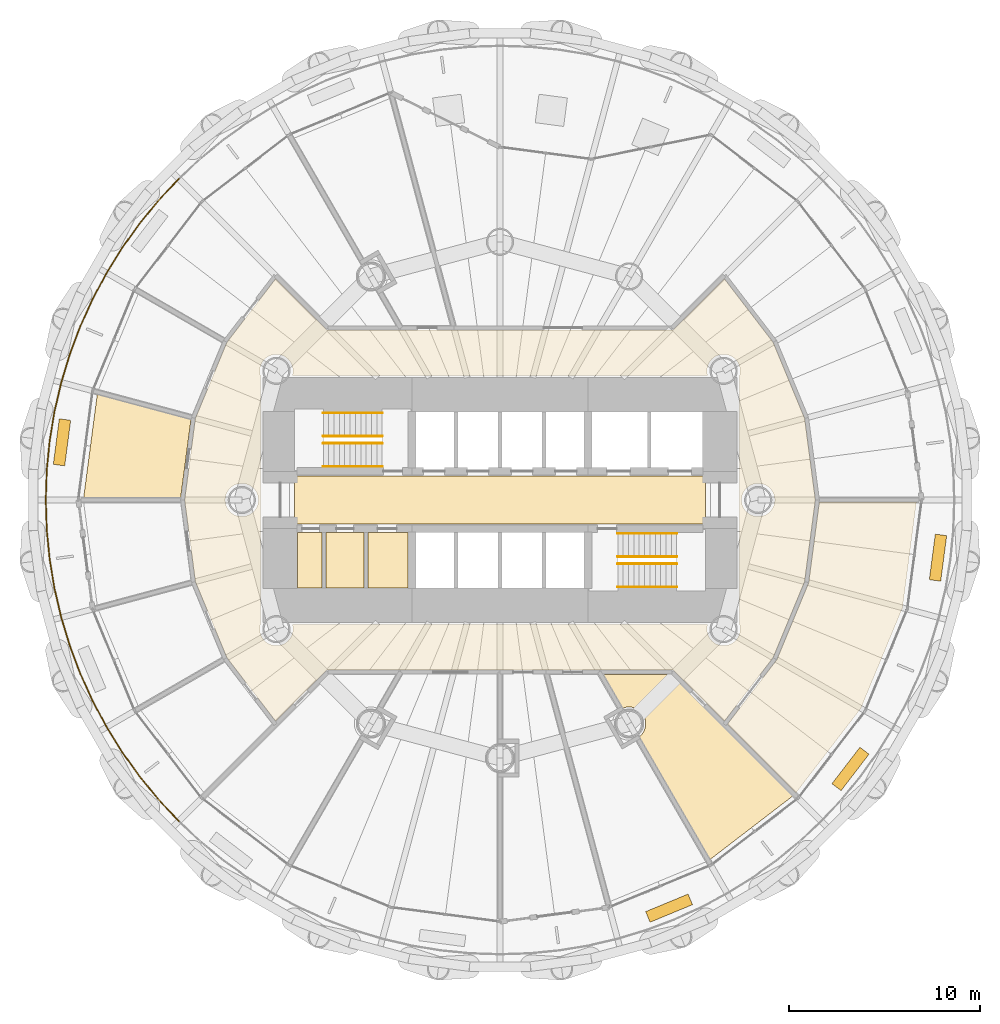
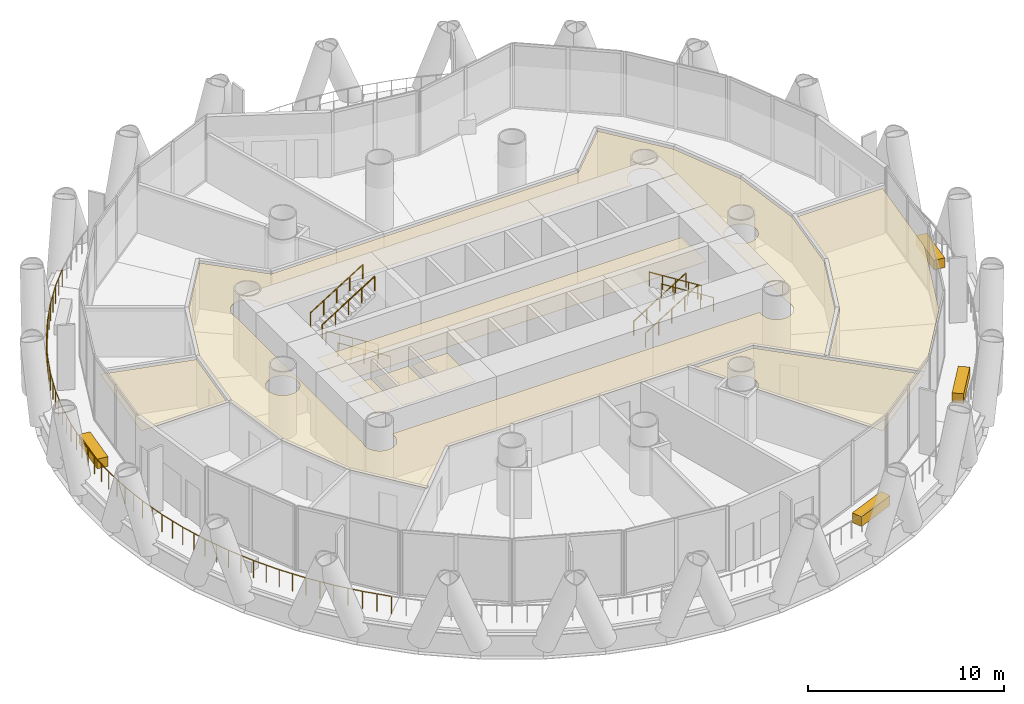
# One storey, part 14 of 16: 12 coverings, 9 railings.
"""IFC4 building model written with IfcOpenShell, lengths in metres."""

from ifc_helpers import new_model, si_unit, direction, frame, origin, origin_2d, place, context, subcontext, project, spatial, polyline, rectangle, circle, outline, extrude, material, layer, layer_set, type_object, element, save


model = new_model("IFC4")

# Units and contexts
model_context = context("Model", 3, precision=1e-05, world=origin(), true_north=direction((0.0, 1.0)))
body_context = subcontext(model_context, "Body", "Model", "MODEL_VIEW")
ifc_project = project(units=[si_unit("LENGTHUNIT", "METRE"), si_unit("AREAUNIT", "SQUARE_METRE"), si_unit("VOLUMEUNIT", "CUBIC_METRE"), si_unit("PLANEANGLEUNIT", "RADIAN"), si_unit("MASSUNIT", "GRAM", prefix="KILO")], contexts=[model_context])

# Site, building, storey
site_placement = place(None, origin())
site = spatial("IfcSite", under=ifc_project, at=site_placement, CompositionType="ELEMENT")
building_placement = place(site_placement, origin())
building = spatial("IfcBuilding", under=site, at=building_placement, Name="Qaws Media Tower", CompositionType="ELEMENT")
storey_placement = place(building_placement, frame((0.0, 0.0, 47.0)))
storey = spatial("IfcBuildingStorey", under=building, at=storey_placement, Name="L09", CompositionType="ELEMENT", Elevation=47.0)

# Railing
ifc_material_1 = material(Name="Stainless steel and glass guard", Category="steel")
railing_type_1 = type_object("IfcRailingType", Name="Balcony guard 1100", PredefinedType="GUARDRAIL", material=ifc_material_1)
railing_placement = place(storey_placement, frame((43.206298828125, 66.793701171875, 0.0)))
element("IfcRailing", 1, at=railing_placement, inside=storey, type_object=railing_type_1, Name="GR1 balcony guard L09-2", PredefinedType="GUARDRAIL", context=body_context, shape_type="SweptSolid", body=[
    extrude(circle(Radius=0.02392578125, at=origin_2d()), frame((0.0, 0.0, 1.076171875), z_axis=(-0.683638001777, -0.729821267522, 0.0), x_axis=(0.729821267522, -0.683638001777, 0.0)), (0.0, 0.0, 1.0), 1.55419921875),
    extrude(circle(Radius=0.02392578125, at=origin_2d()), frame((-1.0625, -1.13427734375, 1.076171875), z_axis=(-0.634340684529, -0.773053617773, 0.0), x_axis=(0.773053617773, -0.634340684529, 0.0)), (0.0, 0.0, 1.0), 1.55419921875),
    extrude(circle(Radius=0.02392578125, at=origin_2d()), frame((-2.04833984375, -2.335693359375, 1.076171875), z_axis=(-0.582515481773, -0.812819606983, 0.0), x_axis=(0.812819606983, -0.582515481773, 0.0)), (0.0, 0.0, 1.0), 1.553955078125),
    extrude(circle(Radius=0.02392578125, at=origin_2d()), frame((-2.95361328125, -3.598876953125, 1.076171875), z_axis=(-0.528105591598, -0.849178711534, 0.0), x_axis=(0.849178711534, -0.528105591598, 0.0)), (0.0, 0.0, 1.0), 1.55419921875),
    extrude(circle(Radius=0.02392578125, at=origin_2d()), frame((-3.7744140625, -4.918701171875, 1.076171875), z_axis=(-0.471427829863, -0.881904644069, 0.0), x_axis=(0.881904644069, -0.471427829863, 0.0)), (0.0, 0.0, 1.0), 1.55419921875),
    extrude(circle(Radius=0.02392578125, at=origin_2d()), frame((-4.507080078125, -6.289306640625, 1.076171875), z_axis=(-0.412642816459, -0.910892916881, 0.0), x_axis=(0.910892916881, -0.412642816459, 0.0)), (0.0, 0.0, 1.0), 1.55419921875),
    extrude(circle(Radius=0.02392578125, at=origin_2d()), frame((-5.1484375, -7.705078125, 1.076171875), z_axis=(-0.352242335956, -0.935908829299, 0.0), x_axis=(0.935908829299, -0.352242335956, 0.0)), (0.0, 0.0, 1.0), 1.553955078125),
    extrude(circle(Radius=0.02392578125, at=origin_2d()), frame((-5.69580078125, -9.159423828125, 1.076171875), z_axis=(-0.290286403891, -0.956939811961, 0.0), x_axis=(0.956939811961, -0.290286403891, 0.0)), (0.0, 0.0, 1.0), 1.55419921875),
    extrude(circle(Radius=0.02392578125, at=origin_2d()), frame((-6.14697265625, -10.646728515625, 1.076171875), z_axis=(-0.227130304689, -0.97386437695, 0.0), x_axis=(0.97386437695, -0.227130304689, 0.0)), (0.0, 0.0, 1.0), 1.55419921875),
    extrude(circle(Radius=0.02392578125, at=origin_2d()), frame((-6.5, -12.160400390625, 1.076171875), z_axis=(-0.162921137125, -0.986639094643, 0.0), x_axis=(0.986639094643, -0.162921137125, 0.0)), (0.0, 0.0, 1.0), 1.553955078125),
    extrude(circle(Radius=0.02392578125, at=origin_2d()), frame((-6.753173828125, -13.693603515625, 1.076171875), z_axis=(-0.098010679686, -0.995185362969, 0.0), x_axis=(0.995185362969, -0.098010679686, 0.0)), (0.0, 0.0, 1.0), 1.554443359375),
    extrude(circle(Radius=0.02392578125, at=origin_2d()), frame((-6.905517578125, -15.240478515625, 1.076171875), z_axis=(-0.032676661877, -0.999465975293, 0.0), x_axis=(0.999465975293, -0.032676661877, 0.0)), (0.0, 0.0, 1.0), 1.553955078125),
    extrude(circle(Radius=0.02392578125, at=origin_2d()), frame((-6.956298828125, -16.793701171875, 1.076171875), z_axis=(0.032676661877, -0.999465975293, 0.0), x_axis=(0.999465975293, 0.032676661877, 0.0)), (0.0, 0.0, 1.0), 1.553955078125),
    extrude(circle(Radius=0.02392578125, at=origin_2d()), frame((-6.905517578125, -18.346923828125, 1.076171875), z_axis=(0.098010679686, -0.995185362969, 0.0), x_axis=(0.995185362969, 0.098010679686, 0.0)), (0.0, 0.0, 1.0), 1.554443359375),
    extrude(circle(Radius=0.02392578125, at=origin_2d()), frame((-6.753173828125, -19.893798828125, 1.076171875), z_axis=(0.162921137125, -0.986639094643, 0.0), x_axis=(0.986639094643, 0.162921137125, 0.0)), (0.0, 0.0, 1.0), 1.553955078125),
    extrude(circle(Radius=0.02392578125, at=origin_2d()), frame((-6.5, -21.427001953125, 1.076171875), z_axis=(0.227130304689, -0.97386437695, 0.0), x_axis=(0.97386437695, 0.227130304689, 0.0)), (0.0, 0.0, 1.0), 1.55419921875),
    extrude(circle(Radius=0.02392578125, at=origin_2d()), frame((-6.14697265625, -22.940673828125, 1.076171875), z_axis=(0.290286403891, -0.956939811961, 0.0), x_axis=(0.956939811961, 0.290286403891, 0.0)), (0.0, 0.0, 1.0), 1.55419921875),
    extrude(circle(Radius=0.02392578125, at=origin_2d()), frame((-5.69580078125, -24.427978515625, 1.076171875), z_axis=(0.352242335956, -0.935908829299, 0.0), x_axis=(0.935908829299, 0.352242335956, 0.0)), (0.0, 0.0, 1.0), 1.553955078125),
    extrude(circle(Radius=0.02392578125, at=origin_2d()), frame((-5.1484375, -25.88232421875, 1.076171875), z_axis=(0.412642816459, -0.910892916881, 0.0), x_axis=(0.910892916881, 0.412642816459, 0.0)), (0.0, 0.0, 1.0), 1.55419921875),
    extrude(circle(Radius=0.02392578125, at=origin_2d()), frame((-4.507080078125, -27.298095703125, 1.076171875), z_axis=(0.471427829863, -0.881904644069, 0.0), x_axis=(0.881904644069, 0.471427829863, 0.0)), (0.0, 0.0, 1.0), 1.55419921875),
    extrude(circle(Radius=0.02392578125, at=origin_2d()), frame((-3.7744140625, -28.668701171875, 1.076171875), z_axis=(0.528105591598, -0.849178711534, 0.0), x_axis=(0.849178711534, 0.528105591598, 0.0)), (0.0, 0.0, 1.0), 1.55419921875),
    extrude(circle(Radius=0.02392578125, at=origin_2d()), frame((-2.95361328125, -29.988525390625, 1.076171875), z_axis=(0.582515481773, -0.812819606983, 0.0), x_axis=(0.812819606983, 0.582515481773, 0.0)), (0.0, 0.0, 1.0), 1.553955078125),
    extrude(circle(Radius=0.02392578125, at=origin_2d()), frame((-2.04833984375, -31.251708984375, 1.076171875), z_axis=(0.634340684529, -0.773053617773, 0.0), x_axis=(0.773053617773, 0.634340684529, 0.0)), (0.0, 0.0, 1.0), 1.55419921875),
    extrude(circle(Radius=0.02392578125, at=origin_2d()), frame((-1.0625, -32.453125, 1.076171875), z_axis=(0.683638001777, -0.729821267522, 0.0), x_axis=(0.729821267522, 0.683638001777, 0.0)), (0.0, 0.0, 1.0), 1.55419921875),
    extrude(circle(Radius=0.02099609375, at=origin_2d()), origin(), (0.0, 0.0, 1.0), 1.052001953125),
    extrude(circle(Radius=0.02099609375, at=origin_2d()), frame((-0.53125, -0.567138671875, 0.0)), (0.0, 0.0, 1.0), 1.052001953125),
    extrude(circle(Radius=0.02099609375, at=origin_2d()), frame((-1.0625, -1.13427734375, 0.0)), (0.0, 0.0, 1.0), 1.052001953125),
    extrude(circle(Radius=0.02099609375, at=origin_2d()), frame((-1.555419921875, -1.73486328125, 0.0)), (0.0, 0.0, 1.0), 1.052001953125),
    extrude(circle(Radius=0.02099609375, at=origin_2d()), frame((-2.04833984375, -2.335693359375, 0.0)), (0.0, 0.0, 1.0), 1.052001953125),
    extrude(circle(Radius=0.02099609375, at=origin_2d()), frame((-2.5009765625, -2.96728515625, 0.0)), (0.0, 0.0, 1.0), 1.052001953125),
    extrude(circle(Radius=0.02099609375, at=origin_2d()), frame((-2.95361328125, -3.598876953125, 0.0)), (0.0, 0.0, 1.0), 1.052001953125),
    extrude(circle(Radius=0.02099609375, at=origin_2d()), frame((-3.364013671875, -4.2587890625, 0.0)), (0.0, 0.0, 1.0), 1.052001953125),
    extrude(circle(Radius=0.02099609375, at=origin_2d()), frame((-3.7744140625, -4.918701171875, 0.0)), (0.0, 0.0, 1.0), 1.052001953125),
    extrude(circle(Radius=0.02099609375, at=origin_2d()), frame((-4.140625, -5.60400390625, 0.0)), (0.0, 0.0, 1.0), 1.052001953125),
    extrude(circle(Radius=0.02099609375, at=origin_2d()), frame((-4.507080078125, -6.289306640625, 0.0)), (0.0, 0.0, 1.0), 1.052001953125),
    extrude(circle(Radius=0.02099609375, at=origin_2d()), frame((-4.82763671875, -6.9970703125, 0.0)), (0.0, 0.0, 1.0), 1.052001953125),
    extrude(circle(Radius=0.02099609375, at=origin_2d()), frame((-5.1484375, -7.705078125, 0.0)), (0.0, 0.0, 1.0), 1.052001953125),
    extrude(circle(Radius=0.02099609375, at=origin_2d()), frame((-5.422119140625, -8.43212890625, 0.0)), (0.0, 0.0, 1.0), 1.052001953125),
    extrude(circle(Radius=0.02099609375, at=origin_2d()), frame((-5.69580078125, -9.159423828125, 0.0)), (0.0, 0.0, 1.0), 1.052001953125),
    extrude(circle(Radius=0.02099609375, at=origin_2d()), frame((-5.92138671875, -9.903076171875, 0.0)), (0.0, 0.0, 1.0), 1.052001953125),
    extrude(circle(Radius=0.02099609375, at=origin_2d()), frame((-6.14697265625, -10.646728515625, 0.0)), (0.0, 0.0, 1.0), 1.052001953125),
    extrude(circle(Radius=0.02099609375, at=origin_2d()), frame((-6.323486328125, -11.403564453125, 0.0)), (0.0, 0.0, 1.0), 1.052001953125),
    extrude(circle(Radius=0.02099609375, at=origin_2d()), frame((-6.5, -12.160400390625, 0.0)), (0.0, 0.0, 1.0), 1.052001953125),
    extrude(circle(Radius=0.02099609375, at=origin_2d()), frame((-6.62646484375, -12.927001953125, 0.0)), (0.0, 0.0, 1.0), 1.052001953125),
    extrude(circle(Radius=0.02099609375, at=origin_2d()), frame((-6.753173828125, -13.693603515625, 0.0)), (0.0, 0.0, 1.0), 1.052001953125),
    extrude(circle(Radius=0.02099609375, at=origin_2d()), frame((-6.829345703125, -14.467041015625, 0.0)), (0.0, 0.0, 1.0), 1.052001953125),
    extrude(circle(Radius=0.02099609375, at=origin_2d()), frame((-6.905517578125, -15.240478515625, 0.0)), (0.0, 0.0, 1.0), 1.052001953125),
    extrude(circle(Radius=0.02099609375, at=origin_2d()), frame((-6.930908203125, -16.01708984375, 0.0)), (0.0, 0.0, 1.0), 1.052001953125),
    extrude(circle(Radius=0.02099609375, at=origin_2d()), frame((-6.956298828125, -16.793701171875, 0.0)), (0.0, 0.0, 1.0), 1.052001953125),
    extrude(circle(Radius=0.02099609375, at=origin_2d()), frame((-6.930908203125, -17.5703125, 0.0)), (0.0, 0.0, 1.0), 1.052001953125),
    extrude(circle(Radius=0.02099609375, at=origin_2d()), frame((-6.905517578125, -18.346923828125, 0.0)), (0.0, 0.0, 1.0), 1.052001953125),
    extrude(circle(Radius=0.02099609375, at=origin_2d()), frame((-6.829345703125, -19.120361328125, 0.0)), (0.0, 0.0, 1.0), 1.052001953125),
    extrude(circle(Radius=0.02099609375, at=origin_2d()), frame((-6.753173828125, -19.893798828125, 0.0)), (0.0, 0.0, 1.0), 1.052001953125),
    extrude(circle(Radius=0.02099609375, at=origin_2d()), frame((-6.62646484375, -20.660400390625, 0.0)), (0.0, 0.0, 1.0), 1.052001953125),
    extrude(circle(Radius=0.02099609375, at=origin_2d()), frame((-6.5, -21.427001953125, 0.0)), (0.0, 0.0, 1.0), 1.052001953125),
    extrude(circle(Radius=0.02099609375, at=origin_2d()), frame((-6.323486328125, -22.183837890625, 0.0)), (0.0, 0.0, 1.0), 1.052001953125),
    extrude(circle(Radius=0.02099609375, at=origin_2d()), frame((-6.14697265625, -22.940673828125, 0.0)), (0.0, 0.0, 1.0), 1.052001953125),
    extrude(circle(Radius=0.02099609375, at=origin_2d()), frame((-5.92138671875, -23.684326171875, 0.0)), (0.0, 0.0, 1.0), 1.052001953125),
    extrude(circle(Radius=0.02099609375, at=origin_2d()), frame((-5.69580078125, -24.427978515625, 0.0)), (0.0, 0.0, 1.0), 1.052001953125),
    extrude(circle(Radius=0.02099609375, at=origin_2d()), frame((-5.422119140625, -25.1552734375, 0.0)), (0.0, 0.0, 1.0), 1.052001953125),
    extrude(circle(Radius=0.02099609375, at=origin_2d()), frame((-5.1484375, -25.88232421875, 0.0)), (0.0, 0.0, 1.0), 1.052001953125),
    extrude(circle(Radius=0.02099609375, at=origin_2d()), frame((-4.82763671875, -26.59033203125, 0.0)), (0.0, 0.0, 1.0), 1.052001953125),
    extrude(circle(Radius=0.02099609375, at=origin_2d()), frame((-4.507080078125, -27.298095703125, 0.0)), (0.0, 0.0, 1.0), 1.052001953125),
    extrude(circle(Radius=0.02099609375, at=origin_2d()), frame((-4.140625, -27.9833984375, 0.0)), (0.0, 0.0, 1.0), 1.052001953125),
    extrude(circle(Radius=0.02099609375, at=origin_2d()), frame((-3.7744140625, -28.668701171875, 0.0)), (0.0, 0.0, 1.0), 1.052001953125),
    extrude(circle(Radius=0.02099609375, at=origin_2d()), frame((-3.364013671875, -29.32861328125, 0.0)), (0.0, 0.0, 1.0), 1.052001953125),
    extrude(circle(Radius=0.02099609375, at=origin_2d()), frame((-2.95361328125, -29.988525390625, 0.0)), (0.0, 0.0, 1.0), 1.052001953125),
    extrude(circle(Radius=0.02099609375, at=origin_2d()), frame((-2.5009765625, -30.6201171875, 0.0)), (0.0, 0.0, 1.0), 1.052001953125),
    extrude(circle(Radius=0.02099609375, at=origin_2d()), frame((-2.04833984375, -31.251708984375, 0.0)), (0.0, 0.0, 1.0), 1.052001953125),
    extrude(circle(Radius=0.02099609375, at=origin_2d()), frame((-1.555419921875, -31.8525390625, 0.0)), (0.0, 0.0, 1.0), 1.052001953125),
    extrude(circle(Radius=0.02099609375, at=origin_2d()), frame((-1.0625, -32.453125, 0.0)), (0.0, 0.0, 1.0), 1.052001953125),
    extrude(circle(Radius=0.02099609375, at=origin_2d()), frame((-0.53125, -33.020263671875, 0.0)), (0.0, 0.0, 1.0), 1.052001953125),
    extrude(circle(Radius=0.02099609375, at=origin_2d()), frame((0.0, -33.58740234375, 0.0)), (0.0, 0.0, 1.0), 1.052001953125),
])

# Coverings
ifc_material_2 = material(Name="600 x 600 mineral fibre tiles in exposed grid, suspended", Category="mineral fibre")
ifc_layer_1 = layer(ifc_material_2, 0.02001953125)
ifc_layer_set_1 = layer_set([ifc_layer_1], Name="Mineral fibre tile ceiling 20")
covering_type_1 = type_object("IfcCoveringType", Name="Mineral fibre tile ceiling 20", PredefinedType="CEILING", material=ifc_layer_set_1)
covering_1_placement = place(storey_placement, frame((0.0, 0.0, 2.85009765625)))
element("IfcCovering", 2, at=covering_1_placement, inside=storey, type_object=covering_type_1, Name="CL1 ceiling L09-01 Corridor", PredefinedType="CEILING", context=body_context, shape_type="SweptSolid", body=[
    extrude(outline(polyline([(48.273193359375, 38.432373046875), (45.72216796875, 41.756591796875), (44.0751953125, 45.73291015625), (43.513427734375, 50.0), (44.0751953125, 54.26708984375), (45.72216796875, 58.243408203125), (48.273193359375, 61.567626953125), (50.953369140625, 58.887451171875), (69.046630859375, 58.887451171875), (71.726806640625, 61.567626953125), (74.27783203125, 58.243408203125), (75.9248046875, 54.26708984375), (76.486572265625, 50.0), (75.9248046875, 45.73291015625), (74.27783203125, 41.756591796875), (71.726806640625, 38.432373046875), (69.046630859375, 41.112548828125), (50.953369140625, 41.112548828125), (48.273193359375, 38.432373046875)]), holes=[polyline([(49.14599609375, 56.512451171875), (49.14990234375, 56.524658203125), (49.172119140625, 56.63623046875), (49.1796875, 56.75), (49.172119140625, 56.86376953125), (49.14990234375, 56.975341796875), (49.11328125, 57.083251953125), (49.06298828125, 57.185546875), (48.999755859375, 57.2802734375), (48.924560546875, 57.365966796875), (48.8388671875, 57.44091796875), (48.744140625, 57.50439453125), (48.64208984375, 57.5546875), (48.5341796875, 57.59130859375), (48.42236328125, 57.613525390625), (48.30859375, 57.62109375), (48.195068359375, 57.613525390625), (48.083251953125, 57.59130859375), (47.975341796875, 57.5546875), (47.873291015625, 57.50439453125), (47.7783203125, 57.44091796875), (47.69287109375, 57.365966796875), (47.61767578125, 57.2802734375), (47.55419921875, 57.185546875), (47.50390625, 57.083251953125), (47.46728515625, 56.975341796875), (47.445068359375, 56.86376953125), (47.437744140625, 56.75), (47.445068359375, 56.63623046875), (47.46728515625, 56.524658203125), (47.487548828125, 56.465087890625), (47.487548828125, 43.534912109375), (47.46728515625, 43.475341796875), (47.445068359375, 43.36376953125), (47.437744140625, 43.25), (47.445068359375, 43.13623046875), (47.46728515625, 43.024658203125), (47.50390625, 42.916748046875), (47.55419921875, 42.814453125), (47.61767578125, 42.7197265625), (47.69287109375, 42.634033203125), (47.7783203125, 42.55908203125), (47.873291015625, 42.49560546875), (47.975341796875, 42.4453125), (48.083251953125, 42.40869140625), (48.195068359375, 42.386474609375), (48.30859375, 42.37890625), (48.42236328125, 42.386474609375), (48.5341796875, 42.40869140625), (48.64208984375, 42.4453125), (48.744140625, 42.49560546875), (48.8388671875, 42.55908203125), (48.924560546875, 42.634033203125), (48.999755859375, 42.7197265625), (49.06298828125, 42.814453125), (49.11328125, 42.916748046875), (49.14990234375, 43.024658203125), (49.172119140625, 43.13623046875), (49.1796875, 43.25), (49.172119140625, 43.36376953125), (49.14990234375, 43.475341796875), (49.14599609375, 43.487548828125), (70.85400390625, 43.487548828125), (70.85009765625, 43.475341796875), (70.827880859375, 43.36376953125), (70.8203125, 43.25), (70.827880859375, 43.13623046875), (70.85009765625, 43.024658203125), (70.88671875, 42.916748046875), (70.93701171875, 42.814453125), (71.000244140625, 42.7197265625), (71.075439453125, 42.634033203125), (71.1611328125, 42.55908203125), (71.255859375, 42.49560546875), (71.35791015625, 42.4453125), (71.4658203125, 42.40869140625), (71.57763671875, 42.386474609375), (71.69140625, 42.37890625), (71.804931640625, 42.386474609375), (71.916748046875, 42.40869140625), (72.024658203125, 42.4453125), (72.126708984375, 42.49560546875), (72.2216796875, 42.55908203125), (72.30712890625, 42.634033203125), (72.38232421875, 42.7197265625), (72.44580078125, 42.814453125), (72.49609375, 42.916748046875), (72.53271484375, 43.024658203125), (72.554931640625, 43.13623046875), (72.562255859375, 43.25), (72.554931640625, 43.36376953125), (72.53271484375, 43.475341796875), (72.512451171875, 43.534912109375), (72.512451171875, 56.465087890625), (72.53271484375, 56.524658203125), (72.554931640625, 56.63623046875), (72.562255859375, 56.75), (72.554931640625, 56.86376953125), (72.53271484375, 56.975341796875), (72.49609375, 57.083251953125), (72.44580078125, 57.185546875), (72.38232421875, 57.2802734375), (72.30712890625, 57.365966796875), (72.2216796875, 57.44091796875), (72.126708984375, 57.50439453125), (72.024658203125, 57.5546875), (71.916748046875, 57.59130859375), (71.804931640625, 57.613525390625), (71.69140625, 57.62109375), (71.57763671875, 57.613525390625), (71.4658203125, 57.59130859375), (71.35791015625, 57.5546875), (71.255859375, 57.50439453125), (71.1611328125, 57.44091796875), (71.075439453125, 57.365966796875), (71.000244140625, 57.2802734375), (70.93701171875, 57.185546875), (70.88671875, 57.083251953125), (70.85009765625, 56.975341796875), (70.827880859375, 56.86376953125), (70.8203125, 56.75), (70.827880859375, 56.63623046875), (70.85009765625, 56.524658203125), (70.85400390625, 56.512451171875), (49.14599609375, 56.512451171875)]), polyline([(47.3046875, 49.666748046875), (47.34130859375, 49.774658203125), (47.363525390625, 49.88623046875), (47.37109375, 50.0), (47.363525390625, 50.11376953125), (47.34130859375, 50.225341796875), (47.3046875, 50.333251953125), (47.25439453125, 50.435546875), (47.19091796875, 50.5302734375), (47.115966796875, 50.615966796875), (47.0302734375, 50.69091796875), (46.935546875, 50.75439453125), (46.833251953125, 50.8046875), (46.725341796875, 50.84130859375), (46.61376953125, 50.863525390625), (46.5, 50.87109375), (46.38623046875, 50.863525390625), (46.274658203125, 50.84130859375), (46.166748046875, 50.8046875), (46.064453125, 50.75439453125), (45.9697265625, 50.69091796875), (45.884033203125, 50.615966796875), (45.80908203125, 50.5302734375), (45.74560546875, 50.435546875), (45.6953125, 50.333251953125), (45.65869140625, 50.225341796875), (45.636474609375, 50.11376953125), (45.62890625, 50.0), (45.636474609375, 49.88623046875), (45.65869140625, 49.774658203125), (45.6953125, 49.666748046875), (45.74560546875, 49.564453125), (45.80908203125, 49.4697265625), (45.884033203125, 49.384033203125), (45.9697265625, 49.30908203125), (46.064453125, 49.24560546875), (46.166748046875, 49.1953125), (46.274658203125, 49.15869140625), (46.38623046875, 49.136474609375), (46.5, 49.12890625), (46.61376953125, 49.136474609375), (46.725341796875, 49.15869140625), (46.833251953125, 49.1953125), (46.935546875, 49.24560546875), (47.0302734375, 49.30908203125), (47.115966796875, 49.384033203125), (47.19091796875, 49.4697265625), (47.25439453125, 49.564453125), (47.3046875, 49.666748046875)]), polyline([(74.34130859375, 49.774658203125), (74.363525390625, 49.88623046875), (74.37109375, 50.0), (74.363525390625, 50.11376953125), (74.34130859375, 50.225341796875), (74.3046875, 50.333251953125), (74.25439453125, 50.435546875), (74.19091796875, 50.5302734375), (74.115966796875, 50.615966796875), (74.0302734375, 50.69091796875), (73.935546875, 50.75439453125), (73.833251953125, 50.8046875), (73.725341796875, 50.84130859375), (73.61376953125, 50.863525390625), (73.5, 50.87109375), (73.38623046875, 50.863525390625), (73.274658203125, 50.84130859375), (73.166748046875, 50.8046875), (73.064453125, 50.75439453125), (72.9697265625, 50.69091796875), (72.884033203125, 50.615966796875), (72.80908203125, 50.5302734375), (72.74560546875, 50.435546875), (72.6953125, 50.333251953125), (72.65869140625, 50.225341796875), (72.636474609375, 50.11376953125), (72.62890625, 50.0), (72.636474609375, 49.88623046875), (72.65869140625, 49.774658203125), (72.6953125, 49.666748046875), (72.74560546875, 49.564453125), (72.80908203125, 49.4697265625), (72.884033203125, 49.384033203125), (72.9697265625, 49.30908203125), (73.064453125, 49.24560546875), (73.166748046875, 49.1953125), (73.274658203125, 49.15869140625), (73.38623046875, 49.136474609375), (73.5, 49.12890625), (73.61376953125, 49.136474609375), (73.725341796875, 49.15869140625), (73.833251953125, 49.1953125), (73.935546875, 49.24560546875), (74.0302734375, 49.30908203125), (74.115966796875, 49.384033203125), (74.19091796875, 49.4697265625), (74.25439453125, 49.564453125), (74.3046875, 49.666748046875), (74.34130859375, 49.774658203125)])]), origin(), (0.0, 0.0, 1.0), 0.02001953125),
])
covering_2_placement = place(storey_placement, frame((0.0, 0.0, 2.85009765625)))
element("IfcCovering", 3, at=covering_2_placement, inside=storey, type_object=covering_type_1, Name="CL1 ceiling L09-06 Edit room", PredefinedType="CEILING", context=body_context, shape_type="SweptSolid", body=[
    extrude(outline(polyline([(38.9423828125, 55.52587890625), (43.84130859375, 54.21337890625), (43.30126953125, 50.112548828125), (38.2294921875, 50.112548828125), (38.9423828125, 55.52587890625)])), origin(), (0.0, 0.0, 1.0), 0.02001953125),
])
covering_3_placement = place(storey_placement, frame((0.0, 0.0, 2.85009765625)))
element("IfcCovering", 4, at=covering_3_placement, inside=storey, type_object=covering_type_1, Name="CL1 ceiling L09-14 Ladies toilets", PredefinedType="CEILING", context=body_context, shape_type="SweptSolid", body=[
    extrude(outline(polyline([(68.953369140625, 40.887451171875), (75.314453125, 34.5263671875), (70.982666015625, 31.202392578125), (67.279296875, 37.616943359375), (67.365966796875, 37.69287109375), (67.44091796875, 37.7783203125), (67.50439453125, 37.873291015625), (67.5546875, 37.975341796875), (67.59130859375, 38.083251953125), (67.613525390625, 38.195068359375), (67.62109375, 38.30859375), (67.613525390625, 38.42236328125), (67.59130859375, 38.5341796875), (67.5546875, 38.64208984375), (67.50439453125, 38.744140625), (67.44091796875, 38.8388671875), (67.365966796875, 38.924560546875), (67.2802734375, 38.999755859375), (67.185546875, 39.06298828125), (67.083251953125, 39.11328125), (66.975341796875, 39.14990234375), (66.86376953125, 39.172119140625), (66.75, 39.1796875), (66.63623046875, 39.172119140625), (66.524658203125, 39.14990234375), (66.41552734375, 39.11279296875), (65.39111328125, 40.887451171875), (68.953369140625, 40.887451171875)])), origin(), (0.0, 0.0, 1.0), 0.02001953125),
])
covering_4_placement = place(storey_placement, frame((0.0, 0.0, 2.85009765625)))
element("IfcCovering", 5, at=covering_4_placement, inside=storey, type_object=covering_type_1, Name="CL1 ceiling L09-15 Production office", PredefinedType="CEILING", context=body_context, shape_type="SweptSolid", body=[
    extrude(outline(polyline([(81.04296875, 44.361572265625), (78.86669921875, 39.107421875), (75.4736328125, 34.685546875), (71.88720703125, 38.271728515625), (74.474365234375, 41.643310546875), (76.14404296875, 45.67431640625), (76.69873046875, 49.887451171875), (81.7705078125, 49.887451171875), (81.04296875, 44.361572265625)])), origin(), (0.0, 0.0, 1.0), 0.02001953125),
])
covering_5_placement = place(storey_placement, frame((0.0, 0.0, 2.85009765625)))
element("IfcCovering", 6, at=covering_5_placement, inside=storey, type_object=covering_type_1, Name="CL1 ceiling L09-C04 Cleaner's room", PredefinedType="CEILING", context=body_context, shape_type="SweptSolid", body=[
    extrude(outline(polyline([(49.39990234375, 45.39990234375), (49.39990234375, 48.300048828125), (50.699951171875, 48.300048828125), (50.699951171875, 45.39990234375), (49.39990234375, 45.39990234375)])), origin(), (0.0, 0.0, 1.0), 0.02001953125),
])
covering_6_placement = place(storey_placement, frame((0.0, 0.0, 2.85009765625)))
element("IfcCovering", 7, at=covering_6_placement, inside=storey, type_object=covering_type_1, Name="CL1 ceiling L09-C05 First aid room", PredefinedType="CEILING", context=body_context, shape_type="SweptSolid", body=[
    extrude(outline(polyline([(50.89990234375, 45.39990234375), (50.89990234375, 48.300048828125), (52.89990234375, 48.300048828125), (52.89990234375, 45.39990234375), (50.89990234375, 45.39990234375)])), origin(), (0.0, 0.0, 1.0), 0.02001953125),
])
ifc_material_3 = material(Name="Precast concrete planter with trailing planting", Category="concrete")
ifc_layer_2 = layer(ifc_material_3, 0.60009765625)
ifc_layer_set_2 = layer_set([ifc_layer_2], Name="Planter 2400x600")
covering_type_2 = type_object("IfcCoveringType", Name="Planter 2400x600", PredefinedType="USERDEFINED", material=ifc_layer_set_2)
for number, where, z_axis, x_axis, name in (
    (8, (37.09765625, 53.01513671875, 0.0), (0.0, 0.0, 1.0), (-0.13052619222, -0.991444861374, 0.0), "PL1 balcony planter L09-06"),
    (9, (68.840087890625, 28.658447265625, 0.0), (0.0, 0.0, 1.0), (0.923879532511, 0.382683432365, 0.0), "PL1 balcony planter L09-10"),
    (10, (78.326416015625, 35.9375, 0.0), (0.0, 0.0, 1.0), (0.608761429009, 0.793353340291, 0.0), "PL1 balcony planter L09-11"),
    (11, (82.90234375, 46.98486328125, 0.0), (0.0, 0.0, 1.0), (0.13052619222, 0.991444861374, 0.0), "PL1 balcony planter L09-12"),
):
    element("IfcCovering", number, at=place(storey_placement, frame(where, z_axis=z_axis, x_axis=x_axis)), inside=storey, type_object=covering_type_2, Name=name, ObjectType="PLANTER", PredefinedType="USERDEFINED", context=body_context, shape_type="SweptSolid", body=[
        extrude(rectangle(XDim=2.39990234375, YDim=0.60009765625, at=origin_2d()), origin(), (0.0, 0.0, 1.0), 0.60009765625),
    ])
ifc_material_4 = material(Name="Two layers 12.5 moisture-resistant plasterboard on suspended metal furring", Category="gypsum")
ifc_layer_3 = layer(ifc_material_4, 0.02490234375)
ifc_layer_set_3 = layer_set([ifc_layer_3], Name="Plasterboard ceiling 25")
covering_type_3 = type_object("IfcCoveringType", Name="Plasterboard ceiling 25", PredefinedType="CEILING", material=ifc_layer_set_3)
covering_7_placement = place(storey_placement, frame((0.0, 0.0, 2.85009765625)))
element("IfcCovering", 12, at=covering_7_placement, inside=storey, type_object=covering_type_3, Name="CL2 ceiling L09-C01 Lift lobby", PredefinedType="CEILING", context=body_context, shape_type="SweptSolid", body=[
    extrude(outline(polyline([(49.25, 48.75), (49.25, 51.25), (70.75, 51.25), (70.75, 48.75), (49.25, 48.75)])), origin(), (0.0, 0.0, 1.0), 0.02490234375),
])
covering_8_placement = place(storey_placement, frame((0.0, 0.0, 2.85009765625)))
element("IfcCovering", 13, at=covering_8_placement, inside=storey, type_object=covering_type_3, Name="CL2 ceiling L09-C06 Accessible WC", PredefinedType="CEILING", context=body_context, shape_type="SweptSolid", body=[
    extrude(outline(polyline([(53.10009765625, 45.39990234375), (53.10009765625, 48.300048828125), (55.199951171875, 48.300048828125), (55.199951171875, 45.39990234375), (53.10009765625, 45.39990234375)])), origin(), (0.0, 0.0, 1.0), 0.02490234375),
])

# Railings
ifc_material_5 = material(Name="Steel tube handrail", Category="steel")
railing_type_2 = type_object("IfcRailingType", Name="Stair handrail 900", PredefinedType="HANDRAIL", material=ifc_material_5)
for number, where, name in (
    (14, (53.840087890625, 51.75, 0.175048828125), "HR1 handrail S1 flight 1 L09"),
    (15, (53.840087890625, 52.9599609375, 0.175048828125), "HR1 handrail S1 flight 1 L09"),
):
    element("IfcRailing", number, at=place(storey_placement, frame(where)), inside=storey, type_object=railing_type_2, Name=name, PredefinedType="HANDRAIL", context=body_context, shape_type="SweptSolid", body=[
        extrude(circle(Radius=0.02392578125, at=origin_2d()), frame((0.0, 0.0, 0.8759765625), z_axis=(-0.847998304005, 0.0, 0.529998940003), x_axis=(0.0, -1.0, 0.0)), (0.0, 0.0, 1.0), 3.632080078125),
        extrude(circle(Radius=0.02099609375, at=origin_2d()), origin(), (0.0, 0.0, 1.0), 0.851806640625),
        extrude(circle(Radius=0.02099609375, at=origin_2d()), frame((-0.77001953125, 0.0, 0.481201171875)), (0.0, 0.0, 1.0), 0.851806640625),
        extrude(circle(Radius=0.02099609375, at=origin_2d()), frame((-1.5400390625, 0.0, 0.96240234375)), (0.0, 0.0, 1.0), 0.851806640625),
        extrude(circle(Radius=0.02099609375, at=origin_2d()), frame((-2.31005859375, 0.0, 1.44384765625)), (0.0, 0.0, 1.0), 0.851806640625),
        extrude(circle(Radius=0.02099609375, at=origin_2d()), frame((-3.080078125, 0.0, 1.925048828125)), (0.0, 0.0, 1.0), 0.851806640625),
    ])
for number, where, name in (
    (16, (50.760009765625, 54.550048828125, 2.27490234375), "HR1 handrail S1 flight 2 L09"),
    (17, (50.760009765625, 53.340087890625, 2.27490234375), "HR1 handrail S1 flight 2 L09"),
    (18, (66.159912109375, 48.25, 0.175048828125), "HR1 handrail S2 flight 1 L09"),
    (19, (66.159912109375, 47.0400390625, 0.175048828125), "HR1 handrail S2 flight 1 L09"),
):
    element("IfcRailing", number, at=place(storey_placement, frame(where)), inside=storey, type_object=railing_type_2, Name=name, PredefinedType="HANDRAIL", context=body_context, shape_type="SweptSolid", body=[
        extrude(circle(Radius=0.02392578125, at=origin_2d()), frame((0.0, 0.0, 0.8759765625), z_axis=(0.847998304005, 0.0, 0.529998940003), x_axis=(0.0, 1.0, 0.0)), (0.0, 0.0, 1.0), 3.632080078125),
        extrude(circle(Radius=0.02099609375, at=origin_2d()), origin(), (0.0, 0.0, 1.0), 0.851806640625),
        extrude(circle(Radius=0.02099609375, at=origin_2d()), frame((0.77001953125, 0.0, 0.481201171875)), (0.0, 0.0, 1.0), 0.851806640625),
        extrude(circle(Radius=0.02099609375, at=origin_2d()), frame((1.5400390625, 0.0, 0.96240234375)), (0.0, 0.0, 1.0), 0.851806640625),
        extrude(circle(Radius=0.02099609375, at=origin_2d()), frame((2.31005859375, 0.0, 1.44384765625)), (0.0, 0.0, 1.0), 0.851806640625),
        extrude(circle(Radius=0.02099609375, at=origin_2d()), frame((3.080078125, 0.0, 1.925048828125)), (0.0, 0.0, 1.0), 0.851806640625),
    ])
for number, where, name in (
    (20, (69.239990234375, 45.449951171875, 2.27490234375), "HR1 handrail S2 flight 2 L09"),
    (21, (69.239990234375, 46.659912109375, 2.27490234375), "HR1 handrail S2 flight 2 L09"),
):
    element("IfcRailing", number, at=place(storey_placement, frame(where)), inside=storey, type_object=railing_type_2, Name=name, PredefinedType="HANDRAIL", context=body_context, shape_type="SweptSolid", body=[
        extrude(circle(Radius=0.02392578125, at=origin_2d()), frame((0.0, 0.0, 0.8759765625), z_axis=(-0.847998304005, 0.0, 0.529998940003), x_axis=(0.0, -1.0, 0.0)), (0.0, 0.0, 1.0), 3.632080078125),
        extrude(circle(Radius=0.02099609375, at=origin_2d()), origin(), (0.0, 0.0, 1.0), 0.851806640625),
        extrude(circle(Radius=0.02099609375, at=origin_2d()), frame((-0.77001953125, 0.0, 0.481201171875)), (0.0, 0.0, 1.0), 0.851806640625),
        extrude(circle(Radius=0.02099609375, at=origin_2d()), frame((-1.5400390625, 0.0, 0.96240234375)), (0.0, 0.0, 1.0), 0.851806640625),
        extrude(circle(Radius=0.02099609375, at=origin_2d()), frame((-2.31005859375, 0.0, 1.44384765625)), (0.0, 0.0, 1.0), 0.851806640625),
        extrude(circle(Radius=0.02099609375, at=origin_2d()), frame((-3.080078125, 0.0, 1.925048828125)), (0.0, 0.0, 1.0), 0.851806640625),
    ])

save(model, "model.ifc")
